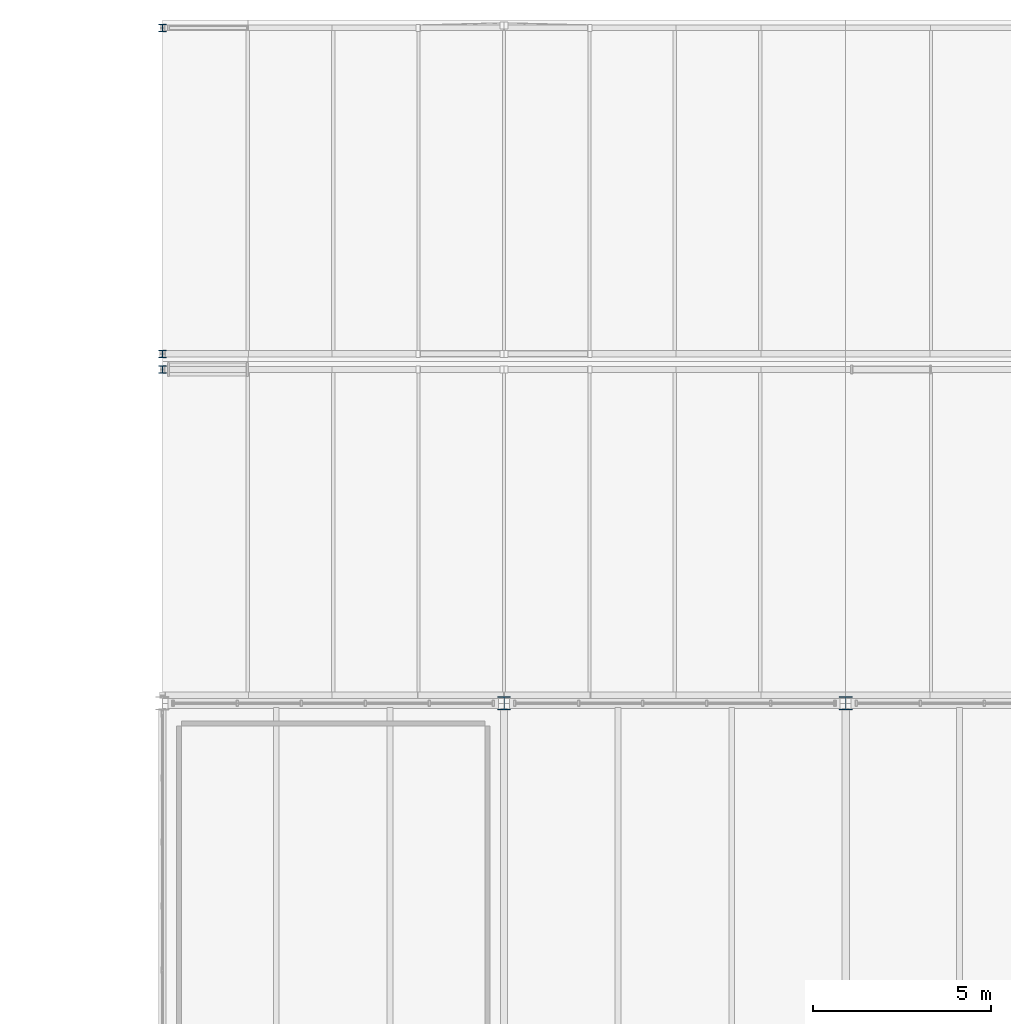
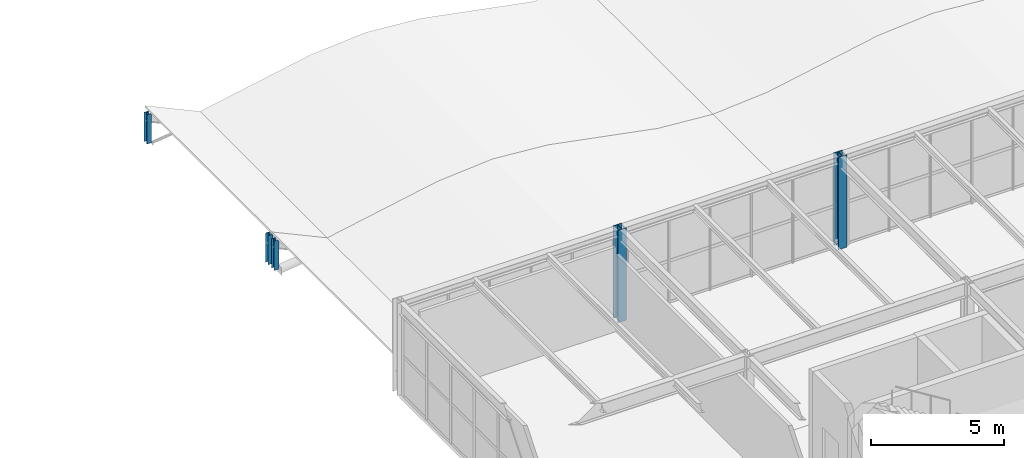
# One storey, part 8 of 170: 5 columns.
"""IFC4 building model written with IfcOpenShell, lengths in metres."""

from ifc_helpers import new_model, si_unit, direction, frame, origin, origin_2d, place, context, subcontext, project, spatial, i_section, extrude, material, material_profile, profile_set, type_object, element, save


model = new_model("IFC4")

# Units and contexts
model_context = context("Model", 3, precision=1e-05, world=origin(), true_north=direction((0.0, 1.0)))
body_context = subcontext(model_context, "Body", "Model", "MODEL_VIEW")
ifc_project = project(units=[si_unit("LENGTHUNIT", "METRE"), si_unit("AREAUNIT", "SQUARE_METRE"), si_unit("VOLUMEUNIT", "CUBIC_METRE"), si_unit("PLANEANGLEUNIT", "RADIAN"), si_unit("MASSUNIT", "GRAM", prefix="KILO")], contexts=[model_context])

# Site, building, storey
site_placement = place(None, origin())
site = spatial("IfcSite", under=ifc_project, at=site_placement, CompositionType="ELEMENT")
building_placement = place(site_placement, origin())
building = spatial("IfcBuilding", under=site, at=building_placement, Name="Coralgate Yard Interchange", CompositionType="ELEMENT")
storey_placement = place(building_placement, frame((0.0, 0.0, 6.0)))
storey = spatial("IfcBuildingStorey", under=building, at=storey_placement, Name="L01", CompositionType="ELEMENT", Elevation=6.0)

# Columns
ifc_material = material(Name="Structural steel S355J2", Category="steel")
ifc_material_profile_1 = material_profile(ifc_material, i_section(OverallWidth=0.37255859375, OverallDepth=0.3681640625, WebThickness=0.014404296875, FlangeThickness=0.023681640625, FilletRadius=0.01513671875, at=origin_2d()), Name="UC 356x368x177")
ifc_profile_set_1 = profile_set([ifc_material_profile_1], Name="Structural steel S355J2")
column_type_1 = type_object("IfcColumnType", Name="COL-SC-3", PredefinedType="COLUMN", material=ifc_profile_set_1)
for number, where, z_axis, x_axis, name in (
    (1, (48.0, 96.0, 0.0), (0.0, 0.0, 1.0), (1.0, 0.0, 0.0), "L01 structural column 5-10"),
    (2, (57.60009765625, 96.0, 0.0), (0.0, 0.0, 1.0), (1.0, 0.0, 0.0), "L01 structural column 6-10"),
):
    element("IfcColumn", number, at=place(storey_placement, frame(where, z_axis=z_axis, x_axis=x_axis)), inside=storey, type_object=column_type_1, Name=name, PredefinedType="COLUMN", context=body_context, shape_type="SweptSolid", body=[
        extrude(i_section(OverallWidth=0.37255859375, OverallDepth=0.3681640625, WebThickness=0.014404296875, FlangeThickness=0.023681640625, FilletRadius=0.01513671875, at=origin_2d()), origin(), (0.0, 0.0, 1.0), 4.25),
    ])
ifc_material_profile_2 = material_profile(ifc_material, i_section(OverallWidth=0.205810546875, OverallDepth=0.209716796875, WebThickness=0.009521484375, FlangeThickness=0.01416015625, FilletRadius=0.01025390625, at=origin_2d()), Name="UC 203x203x60")
ifc_profile_set_2 = profile_set([ifc_material_profile_2], Name="Structural steel S355J2")
column_type_2 = type_object("IfcColumnType", Name="COL-SC-9", PredefinedType="COLUMN", material=ifc_profile_set_2)
for number, where, z_axis, x_axis, name in (
    (3, (38.39990234375, 105.3798828125, 0.001953125), (0.0, 0.0, 1.0), (1.0, 0.0, 0.0), "Wave-shell upturned west strut R1-N"),
    (4, (38.39990234375, 105.820068359375, 0.001953125), (0.0, 0.0, 1.0), (1.0, 0.0, 0.0), "Wave-shell upturned west strut R2-S"),
    (5, (38.39990234375, 114.97998046875, 0.001953125), (0.0, 0.0, 1.0), (1.0, 0.0, 0.0), "Wave-shell upturned west strut R2-N"),
):
    element("IfcColumn", number, at=place(storey_placement, frame(where, z_axis=z_axis, x_axis=x_axis)), inside=storey, type_object=column_type_2, Name=name, PredefinedType="COLUMN", context=body_context, shape_type="SweptSolid", body=[
        extrude(i_section(OverallWidth=0.205810546875, OverallDepth=0.209716796875, WebThickness=0.009521484375, FlangeThickness=0.01416015625, FilletRadius=0.01025390625, at=origin_2d()), origin(), (0.0, 0.0, 1.0), 1.34814453125),
    ])

save(model, "model.ifc")
